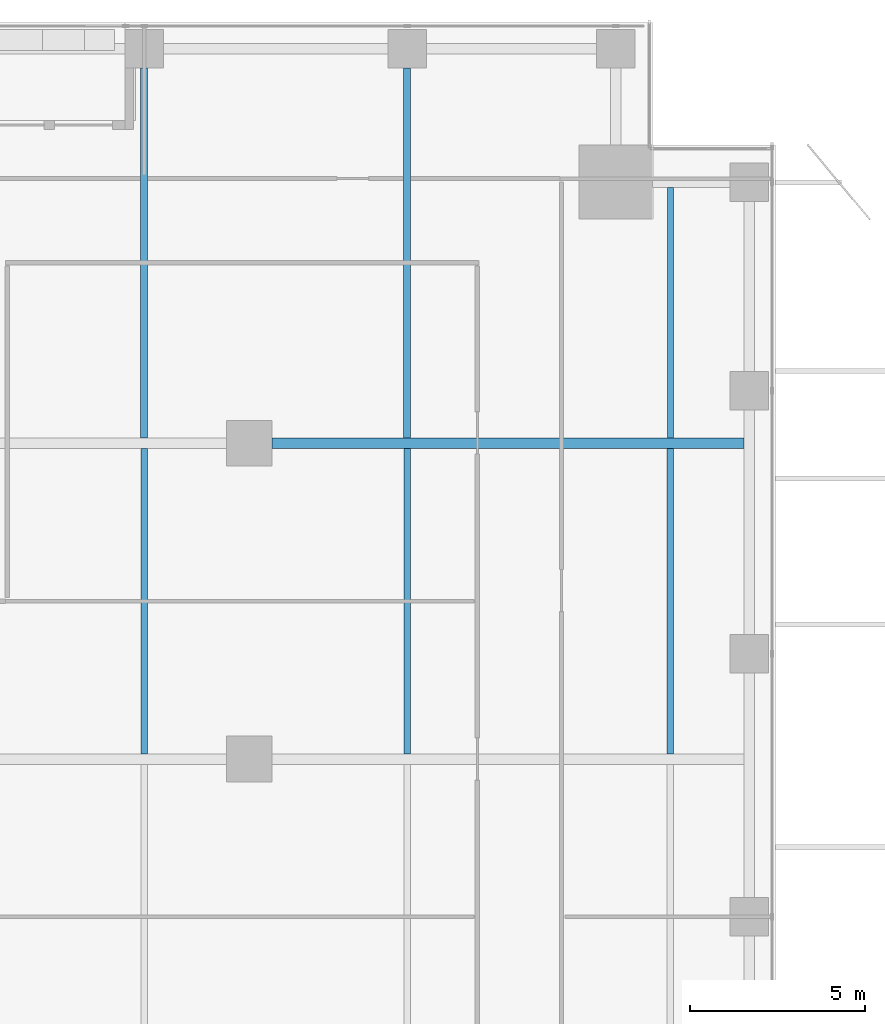
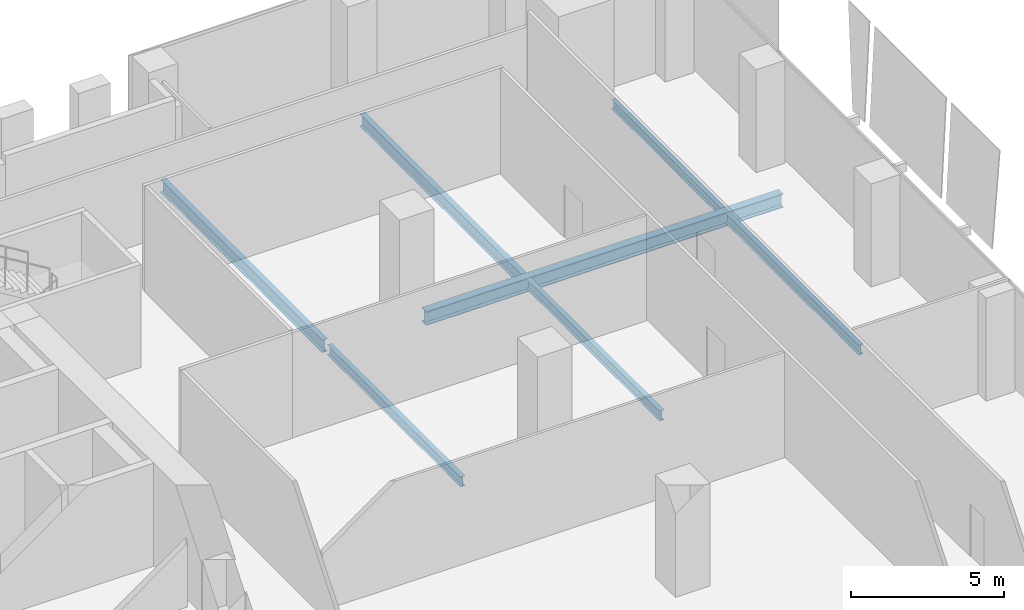
# One storey, part 18 of 33: 7 beams.
"""IFC4 building model written with IfcOpenShell, lengths in metres."""

import ifcopenshell
import ifcopenshell.guid

model = None  # the IFC model being written
_history = None  # IfcOwnerHistory: only IFC2X3 demands one
_inside = {}  # id of a spatial element -> (the spatial element, [elements in it])
_under = {}  # id of a project, library or spatial element -> (it, [spatial elements below it])
_declared = {}  # id of a project -> (the project, [libraries it declares])
_typed = {}  # id of a type object -> (the type object, [elements of that type])
_made_of = {}  # id of a material, layer set ... -> (it, [elements and type objects made of it])


def new_model(schema):
    """Start an empty IFC model of exactly this schema.

    Asked for "IFC4X3", IfcOpenShell would pick the latest addendum, in which some entities
    have other attributes; the version numbers below select the first issue.
    IFC2X3 requires an IfcOwnerHistory on every rooted entity: one is made here for all.
    """
    global model, _history
    if schema == "IFC4X3":
        model = ifcopenshell.file(schema_version=(4, 3, 0, 0))
    else:
        model = ifcopenshell.file(schema=schema)
    _inside.clear()
    _under.clear()
    _declared.clear()
    _typed.clear()
    _made_of.clear()
    _history = None
    if model.schema == "IFC2X3":
        org = make("IfcOrganization", Name="unknown")
        user = make(
            "IfcPersonAndOrganization",
            ThePerson=make("IfcPerson", FamilyName="unknown"),
            TheOrganization=org,
        )
        app = make(
            "IfcApplication",
            ApplicationDeveloper=org,
            Version="unknown",
            ApplicationFullName="unknown",
            ApplicationIdentifier="unknown",
        )
        _history = make(
            "IfcOwnerHistory",
            OwningUser=user,
            OwningApplication=app,
            ChangeAction="ADDED",
            CreationDate=0,
        )
    return model


def make(cls, **values):
    """One entity of the class cls with the attributes given. An attribute that is None is left unset."""
    return model.create_entity(
        cls, **{name: value for name, value in values.items() if value is not None}
    )


def rooted(cls, **values):
    """An entity with a GlobalId (a new one), such as an element, a storey or a relation."""
    return make(cls, GlobalId=ifcopenshell.guid.new(), OwnerHistory=_history, **values)


def si_unit(unit_type, name, prefix=None):
    """IfcSIUnit, for example si_unit("LENGTHUNIT", "METRE", prefix="MILLI")."""
    return make("IfcSIUnit", UnitType=unit_type, Prefix=prefix, Name=name)


def assignment(units):
    """IfcUnitAssignment: the units of a project."""
    return None if units is None else make("IfcUnitAssignment", Units=units)


def point(xyz):
    """IfcCartesianPoint."""
    return None if xyz is None else make("IfcCartesianPoint", Coordinates=xyz)


def direction(xyz):
    """IfcDirection."""
    return None if xyz is None else make("IfcDirection", DirectionRatios=xyz)


def frame(location, z_axis=None, x_axis=None):
    """IfcAxis2Placement3D, a coordinate frame: its origin and axes. An axis left out is left unset."""
    return make(
        "IfcAxis2Placement3D",
        Location=point(location),
        Axis=direction(z_axis),
        RefDirection=direction(x_axis),
    )


def frame_2d(location, x_axis=None):
    """IfcAxis2Placement2D, a coordinate frame in the plane: its origin and x axis."""
    return make(
        "IfcAxis2Placement2D", Location=point(location), RefDirection=direction(x_axis)
    )


def origin():
    """The frame at (0, 0, 0) with its axes left unset."""
    return frame((0.0, 0.0, 0.0))


def origin_2d():
    """The frame at (0, 0) in the plane with its x axis left unset."""
    return frame_2d((0.0, 0.0))


def place(relative_to, where):
    """IfcLocalPlacement: puts the frame where relative to a parent placement (None: the world)."""
    return make(
        "IfcLocalPlacement", PlacementRelTo=relative_to, RelativePlacement=where
    )


def context(
    kind, dimensions, precision=None, world=None, true_north=None, identifier=None
):
    """IfcGeometricRepresentationContext, for example the 3D "Model" context."""
    return make(
        "IfcGeometricRepresentationContext",
        ContextIdentifier=identifier,
        ContextType=kind,
        CoordinateSpaceDimension=dimensions,
        Precision=precision,
        WorldCoordinateSystem=world,
        TrueNorth=true_north,
    )


def subcontext(parent, identifier, kind, view, scale=None):
    """IfcGeometricRepresentationSubContext, for example "Body" below "Model"."""
    return make(
        "IfcGeometricRepresentationSubContext",
        ContextIdentifier=identifier,
        ContextType=kind,
        ParentContext=parent,
        TargetScale=scale,
        TargetView=view,
    )


def project(units=None, contexts=None):
    """IfcProject with its units and contexts."""
    return rooted(
        "IfcProject",
        Name="project",
        RepresentationContexts=contexts,
        UnitsInContext=assignment(units),
    )


def spatial(cls, under=None, at=None, **own):
    """A site, building, storey or space (cls), placed at a placement, below another one or the project."""
    s = rooted(cls, ObjectPlacement=at, **own)
    if under is not None:
        _under.setdefault(under.id(), (under, []))[1].append(s)
    return s


def profile(cls, at=None, kind="AREA", **sizes):
    """A parametric profile (cls). Its sizes go by their IFC names, for example OverallWidth=200.0."""
    return make(cls, ProfileType=kind, Position=at, **sizes)


def i_section(**sizes):
    """IfcIShapeProfileDef."""
    return profile("IfcIShapeProfileDef", **sizes)


def extrude(swept, where, along, depth):
    """IfcExtrudedAreaSolid: the profile swept, set in the frame where, extruded along a direction by depth."""
    return make(
        "IfcExtrudedAreaSolid",
        SweptArea=swept,
        Position=where,
        ExtrudedDirection=direction(along),
        Depth=depth,
    )


def shape(context_of_items, identifier, shape_type, items):
    """IfcShapeRepresentation: the items that make up one representation, for example the "Body"."""
    return make(
        "IfcShapeRepresentation",
        ContextOfItems=context_of_items,
        RepresentationIdentifier=identifier,
        RepresentationType=shape_type,
        Items=items,
    )


def source(mapping_origin, context_of_items, identifier, shape_type, items):
    """IfcRepresentationMap: a shape defined once, which mapped items show again and again."""
    return make(
        "IfcRepresentationMap",
        MappingOrigin=mapping_origin,
        MappedRepresentation=shape(context_of_items, identifier, shape_type, items),
    )


def transform(
    local_origin,
    x_axis=None,
    y_axis=None,
    z_axis=None,
    scale=None,
    scale2=None,
    scale3=None,
    uniform=True,
):
    """IfcCartesianTransformationOperator3D, or its non-uniform kind. x_axis, y_axis, z_axis: its Axis1, 2, 3."""
    if uniform:
        return make(
            "IfcCartesianTransformationOperator3D",
            Axis1=direction(x_axis),
            Axis2=direction(y_axis),
            LocalOrigin=point(local_origin),
            Scale=scale,
            Axis3=direction(z_axis),
        )
    return make(
        "IfcCartesianTransformationOperator3DnonUniform",
        Axis1=direction(x_axis),
        Axis2=direction(y_axis),
        LocalOrigin=point(local_origin),
        Scale=scale,
        Axis3=direction(z_axis),
        Scale2=scale2,
        Scale3=scale3,
    )


def mapped(mapping_source, mapping_target):
    """IfcMappedItem: shows the shape of a source again, moved by a transform."""
    return make(
        "IfcMappedItem", MappingSource=mapping_source, MappingTarget=mapping_target
    )


def material(Name=None, Category=None):
    """IfcMaterial."""
    return make("IfcMaterial", Name=Name, Category=Category)


def material_profile(
    of_material, cross_section, Name=None, Category=None, Priority=None
):
    """IfcMaterialProfile: a cross section and its material."""
    return make(
        "IfcMaterialProfile",
        Name=Name,
        Material=of_material,
        Profile=cross_section,
        Priority=Priority,
        Category=Category,
    )


def profile_set(profiles, Name=None, composite=None):
    """IfcMaterialProfileSet."""
    return make(
        "IfcMaterialProfileSet",
        Name=Name,
        MaterialProfiles=profiles,
        CompositeProfile=composite,
    )


def made_of(thing, what):
    """Note that an element or type object is made of a material, layer set ...; save() writes the relation."""
    if what is not None:
        _made_of.setdefault(what.id(), (what, []))[1].append(thing)
    return thing


def type_object(cls, material=None, **own):
    """A type object (cls), such as IfcWallType, which elements share."""
    return made_of(rooted(cls, **own), material)


def element(
    cls,
    number,
    at=None,
    inside=None,
    cuts=None,
    type_object=None,
    material=None,
    context=None,
    identifier="Body",
    shape_type=None,
    held_by="IfcProductDefinitionShape",
    body=None,
    shapes=None,
    **own,
):
    """One element of the class cls, such as IfcWall. Its Tag is "e" and its number.

    at: its placement. inside: the storey or other place that contains it. cuts: it is an
    opening in that element (IfcRelVoidsElement). A single representation is given by context,
    identifier, shape_type and body (its items); several are given by shapes. held_by: the class
    of the entity that holds the representations. save() writes the other relations.
    """
    e = rooted(cls, Tag="e%d" % number, ObjectPlacement=at, **own)
    if body is not None:
        shapes = [shape(context, identifier, shape_type, body)]
    if shapes is not None:
        e.Representation = make(held_by, Representations=shapes)
    if inside is not None:
        _inside.setdefault(inside.id(), (inside, []))[1].append(e)
    if cuts is not None:
        rooted(
            "IfcRelVoidsElement", RelatingBuildingElement=cuts, RelatedOpeningElement=e
        )
    if type_object is not None:
        _typed.setdefault(type_object.id(), (type_object, []))[1].append(e)
    return made_of(e, material)


def aggregate(whole, parts):
    """IfcRelAggregates: a whole, such as a stair, and the parts it consists of."""
    return rooted("IfcRelAggregates", RelatingObject=whole, RelatedObjects=parts)


def save(model, path):
    """Write the relations noted so far, then the file.

    IfcRelAggregates (storeys below a building ...), IfcRelContainedInSpatialStructure (elements
    in a storey), IfcRelDefinesByType, IfcRelAssociatesMaterial and IfcRelDeclares: one each for
    every whole, place, type object, material and project.
    """
    for whole, parts in _under.values():
        aggregate(whole, parts)
    for where, things in _inside.values():
        rooted(
            "IfcRelContainedInSpatialStructure",
            RelatedElements=things,
            RelatingStructure=where,
        )
    for kind, things in _typed.values():
        rooted("IfcRelDefinesByType", RelatedObjects=things, RelatingType=kind)
    for what, things in _made_of.values():
        rooted("IfcRelAssociatesMaterial", RelatedObjects=things, RelatingMaterial=what)
    for by, libraries in _declared.values():
        rooted("IfcRelDeclares", RelatingContext=by, RelatedDefinitions=libraries)
    model.write(path)


model = new_model("IFC4")

# Units and contexts
model_context = context("Model", 3, precision=1e-05, world=origin(), true_north=direction((0.0, 1.0)))
body_context = subcontext(model_context, "Body", "Model", "MODEL_VIEW")
ifc_project = project(units=[si_unit("LENGTHUNIT", "METRE"), si_unit("AREAUNIT", "SQUARE_METRE"), si_unit("VOLUMEUNIT", "CUBIC_METRE"), si_unit("PLANEANGLEUNIT", "RADIAN"), si_unit("MASSUNIT", "GRAM", prefix="KILO")], contexts=[model_context])

# Site, building, storey
site_placement = place(None, origin())
site = spatial("IfcSite", under=ifc_project, at=site_placement, CompositionType="ELEMENT")
building_placement = place(site_placement, origin())
building = spatial("IfcBuilding", under=site, at=building_placement, Name="Khomas Fold Tower", CompositionType="ELEMENT")
storey_placement = place(building_placement, frame((0.0, 0.0, 149.89990234375)))
storey = spatial("IfcBuildingStorey", under=building, at=storey_placement, Name="L32", CompositionType="ELEMENT", Elevation=149.89990234375)

# Beams
ifc_material_1 = material(Name="Steel S355", Category="steel")
ifc_material_profile_1 = material_profile(ifc_material_1, i_section(OverallWidth=0.179931640625, OverallDepth=0.39990234375, WebThickness=0.008544921875, FlangeThickness=0.013427734375, at=origin_2d()), Name="IPE 400")
ifc_profile_set_1 = profile_set([ifc_material_profile_1], Name="Steel S355")
beam_type_1 = type_object("IfcBeamType", Name="IPE 400 beam JB3", PredefinedType="BEAM", material=ifc_profile_set_1)
shared_shape_1 = source(origin(), body_context, "Body", "SweptSolid", [
    extrude(i_section(OverallWidth=0.179931640625, OverallDepth=0.39990234375, WebThickness=0.008544921875, FlangeThickness=0.013427734375, at=origin_2d()), origin(), (0.0, 0.0, 1.0), 8.7001953125),
])
for number, where, z_axis, x_axis, name in (
    (1, (34.5, 31.64990234375, -0.5), (0.0, 1.0, 0.0), (-1.0, 0.0, 0.0), "JB3"),
    (2, (42.0, 31.64990234375, -0.5), (0.0, 1.0, 0.0), (-1.0, 0.0, 0.0), "JB3"),
    (3, (49.5, 31.64990234375, -0.5), (0.0, 1.0, 0.0), (-1.0, 0.0, 0.0), "JB3"),
):
    element("IfcBeam", number, at=place(storey_placement, frame(where, z_axis=z_axis, x_axis=x_axis)), inside=storey, type_object=beam_type_1, Name=name, PredefinedType="BEAM", context=body_context, shape_type="MappedRepresentation", body=[
        mapped(shared_shape_1, transform((0.0, 0.0, 0.0))),
    ])
ifc_material_2 = material(Name="Steel S355", Category="steel")
ifc_material_profile_2 = material_profile(ifc_material_2, i_section(OverallWidth=0.169921875, OverallDepth=0.360107421875, WebThickness=0.008056640625, FlangeThickness=0.0126953125, at=origin_2d()), Name="IPE 360")
ifc_profile_set_2 = profile_set([ifc_material_profile_2], Name="Steel S355")
beam_type_2 = type_object("IfcBeamType", Name="IPE 360 beam JB2", PredefinedType="BEAM", material=ifc_profile_set_2)
shared_shape_2 = source(origin(), body_context, "Body", "SweptSolid", [
    extrude(i_section(OverallWidth=0.169921875, OverallDepth=0.360107421875, WebThickness=0.008056640625, FlangeThickness=0.0126953125, at=origin_2d()), origin(), (0.0, 0.0, 1.0), 7.150146484375),
])
beam_1_placement = place(storey_placement, frame((49.5, 40.64990234375, -0.47998046875), z_axis=(0.0, 1.0, 0.0), x_axis=(-1.0, 0.0, 0.0)))
element("IfcBeam", 4, at=beam_1_placement, inside=storey, type_object=beam_type_2, Name="JB2", PredefinedType="BEAM", context=body_context, shape_type="MappedRepresentation", body=[
    mapped(shared_shape_2, transform((0.0, 0.0, 0.0))),
])
ifc_material_3 = material(Name="Steel S355", Category="steel")
ifc_material_profile_3 = material_profile(ifc_material_3, i_section(OverallWidth=0.300048828125, OverallDepth=0.550048828125, WebThickness=0.014892578125, FlangeThickness=0.029052734375, at=origin_2d()), Name="HE 550 B")
ifc_profile_set_3 = profile_set([ifc_material_profile_3], Name="Steel S355")
beam_type_3 = type_object("IfcBeamType", Name="HE 550 B beam GB4", PredefinedType="BEAM", material=ifc_profile_set_3)
shared_shape_3 = source(origin(), body_context, "Body", "SweptSolid", [
    extrude(i_section(OverallWidth=0.300048828125, OverallDepth=0.550048828125, WebThickness=0.014892578125, FlangeThickness=0.029052734375, at=origin_2d()), origin(), (0.0, 0.0, 1.0), 13.4501953125),
])
beam_2_placement = place(storey_placement, frame((38.14990234375, 40.5, -0.574951171875), z_axis=(1.0, 0.0, 0.0), x_axis=(0.0, 1.0, 0.0)))
element("IfcBeam", 5, at=beam_2_placement, inside=storey, type_object=beam_type_3, Name="GB4", PredefinedType="BEAM", context=body_context, shape_type="MappedRepresentation", body=[
    mapped(shared_shape_3, transform((0.0, 0.0, 0.0))),
])
ifc_material_4 = material(Name="Steel S355", Category="steel")
ifc_material_profile_4 = material_profile(ifc_material_4, i_section(OverallWidth=0.199951171875, OverallDepth=0.5, WebThickness=0.01025390625, FlangeThickness=0.01611328125, at=origin_2d()), Name="IPE 500")
ifc_profile_set_4 = profile_set([ifc_material_profile_4], Name="Steel S355")
beam_type_4 = type_object("IfcBeamType", Name="IPE 500 beam JB5", PredefinedType="BEAM", material=ifc_profile_set_4)
shared_shape_4 = source(origin(), body_context, "Body", "SweptSolid", [
    extrude(i_section(OverallWidth=0.199951171875, OverallDepth=0.5, WebThickness=0.01025390625, FlangeThickness=0.01611328125, at=origin_2d()), origin(), (0.0, 0.0, 1.0), 10.550048828125),
])
for number, where, z_axis, x_axis, name in (
    (6, (34.5, 40.64990234375, -0.5498046875), (0.0, 1.0, 0.0), (-1.0, 0.0, 0.0), "JB5"),
    (7, (42.0, 40.64990234375, -0.5498046875), (0.0, 1.0, 0.0), (-1.0, 0.0, 0.0), "JB5"),
):
    element("IfcBeam", number, at=place(storey_placement, frame(where, z_axis=z_axis, x_axis=x_axis)), inside=storey, type_object=beam_type_4, Name=name, PredefinedType="BEAM", context=body_context, shape_type="MappedRepresentation", body=[
        mapped(shared_shape_4, transform((0.0, 0.0, 0.0))),
    ])

save(model, "model.ifc")
